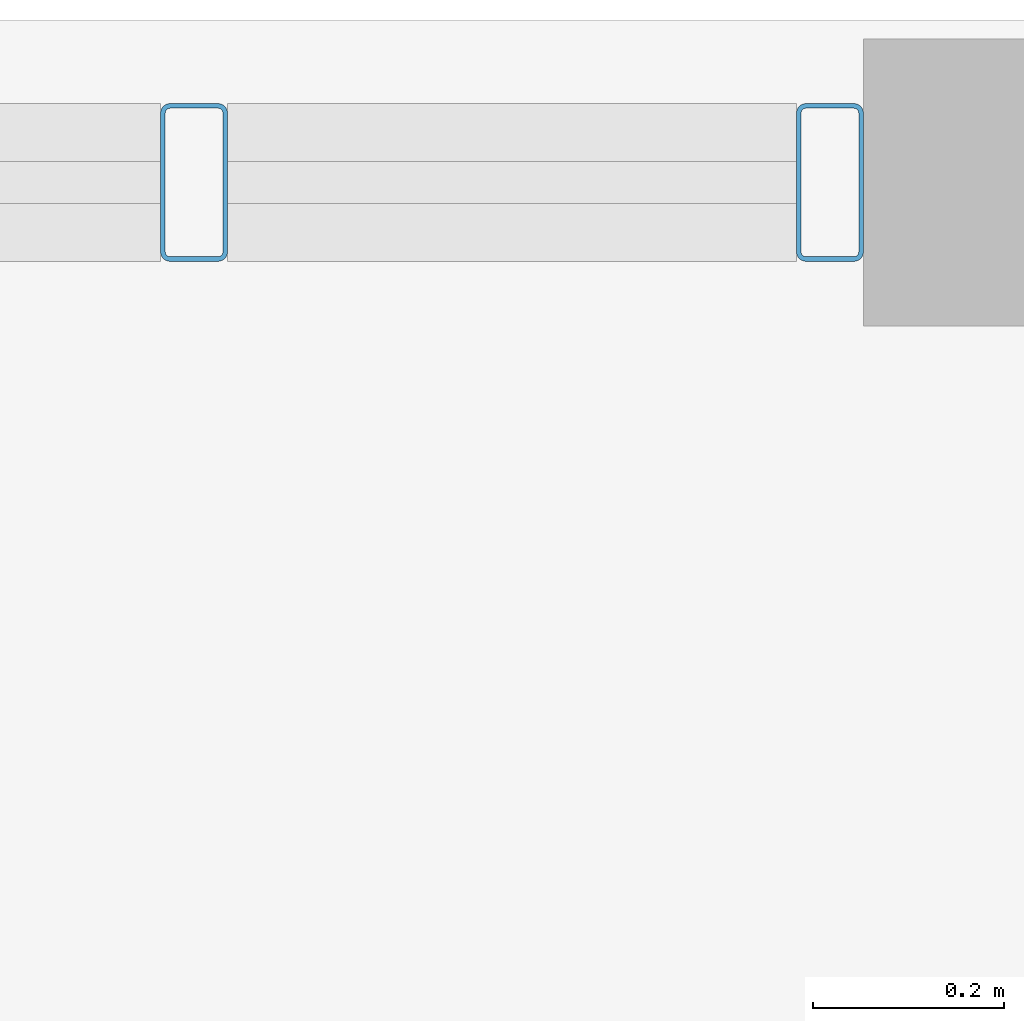
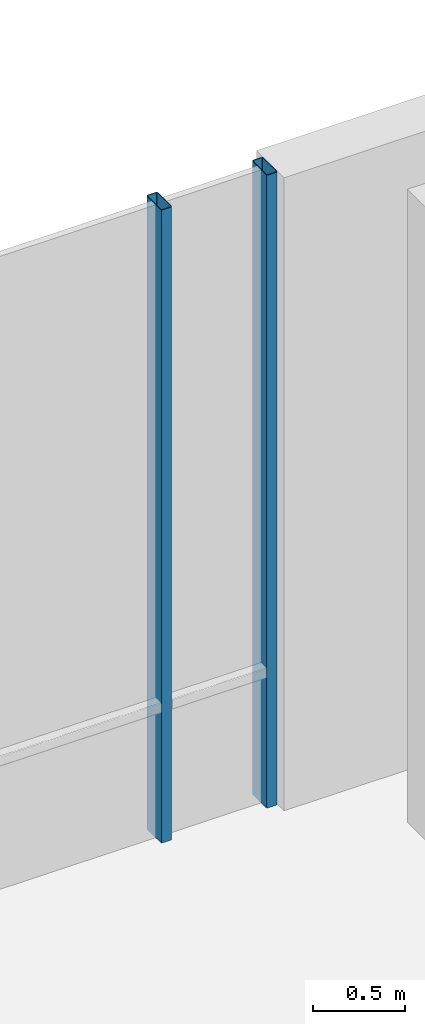
# One storey, part 6 of 25: 2 members, 1 element without a shape of its own.
"""IFC4 building model written with IfcOpenShell, lengths in metres."""

from ifc_helpers import new_model, si_unit, direction, frame, origin, origin_2d, place, context, subcontext, project, spatial, hollow_rectangle, extrude, material, layer, layer_set, material_profile, profile_set, type_object, element, aggregate, save


model = new_model("IFC4")

# Units and contexts
model_context = context("Model", 3, precision=1e-05, world=origin(), true_north=direction((0.0, 1.0)))
body_context = subcontext(model_context, "Body", "Model", "MODEL_VIEW")
ifc_project = project(units=[si_unit("LENGTHUNIT", "METRE"), si_unit("AREAUNIT", "SQUARE_METRE"), si_unit("VOLUMEUNIT", "CUBIC_METRE"), si_unit("PLANEANGLEUNIT", "RADIAN"), si_unit("MASSUNIT", "GRAM", prefix="KILO")], contexts=[model_context])

# Site, building, storey
site_placement = place(None, origin())
site = spatial("IfcSite", under=ifc_project, at=site_placement, CompositionType="ELEMENT")
building_placement = place(site_placement, origin())
building = spatial("IfcBuilding", under=site, at=building_placement, Name="Brevholm Reach", CompositionType="ELEMENT")
storey_placement = place(building_placement, frame((0.0, 0.0, 9.0)))
storey = spatial("IfcBuildingStorey", under=building, at=storey_placement, Name="L02", CompositionType="ELEMENT", Elevation=9.0)

# Curtain wall, members
ifc_material_1 = material(Name="Dark Anodised Aluminium 6063-T6 and Solar-Control Glass", Category="aluminium")
ifc_layer = layer(ifc_material_1, 0.1650390625)
ifc_layer_set = layer_set([ifc_layer], Name="Dark Anodised Aluminium 6063-T6 and Solar-Control Glass")
curtain_wall_type = type_object("IfcCurtainWallType", Name="CW-03", PredefinedType="NOTDEFINED", material=ifc_layer_set)
curtain_wall_placement = place(storey_placement, origin())
curtain_wall = element("IfcCurtainWall", 1, at=curtain_wall_placement, inside=storey, type_object=curtain_wall_type, Name="L02 Curtain Wall CW-03", PredefinedType="NOTDEFINED")
ifc_material_2 = material(Name="Dark Anodised Aluminium 6063-T6", Category="aluminium")
ifc_material_profile = material_profile(ifc_material_2, hollow_rectangle(XDim=0.070068359375, YDim=0.1650390625, WallThickness=0.0048828125, InnerFilletRadius=0.0048828125, OuterFilletRadius=0.010009765625, at=origin_2d()), Name="RHS 165x70x5")
ifc_profile_set = profile_set([ifc_material_profile], Name="Dark Anodised Aluminium 6063-T6")
member_type = type_object("IfcMemberType", Name="CWM-165", PredefinedType="MULLION", material=ifc_profile_set)
member_1_placement = place(storey_placement, frame((6.39990234375, 39.830078125, 0.0), z_axis=(0.0, 0.0, 1.0), x_axis=(1.0, 0.0, 0.0)))
member_1 = element("IfcMember", 2, at=member_1_placement, type_object=member_type, Name="CM-165 Mullion 5", PredefinedType="MULLION", context=body_context, shape_type="SweptSolid", body=[
    extrude(hollow_rectangle(XDim=0.070068359375, YDim=0.1650390625, WallThickness=0.0048828125, InnerFilletRadius=0.0048828125, OuterFilletRadius=0.010009765625, at=origin_2d()), origin(), (0.0, 0.0, 1.0), 4.219970703125),
])
member_2_placement = place(storey_placement, frame((7.06494140625, 39.830078125, 0.0), z_axis=(0.0, 0.0, 1.0), x_axis=(1.0, 0.0, 0.0)))
member_2 = element("IfcMember", 3, at=member_2_placement, type_object=member_type, Name="CM-165 Mullion 6", PredefinedType="MULLION", context=body_context, shape_type="SweptSolid", body=[
    extrude(hollow_rectangle(XDim=0.070068359375, YDim=0.1650390625, WallThickness=0.0048828125, InnerFilletRadius=0.0048828125, OuterFilletRadius=0.010009765625, at=origin_2d()), origin(), (0.0, 0.0, 1.0), 4.219970703125),
])
aggregate(curtain_wall, [member_1, member_2])

save(model, "model.ifc")
